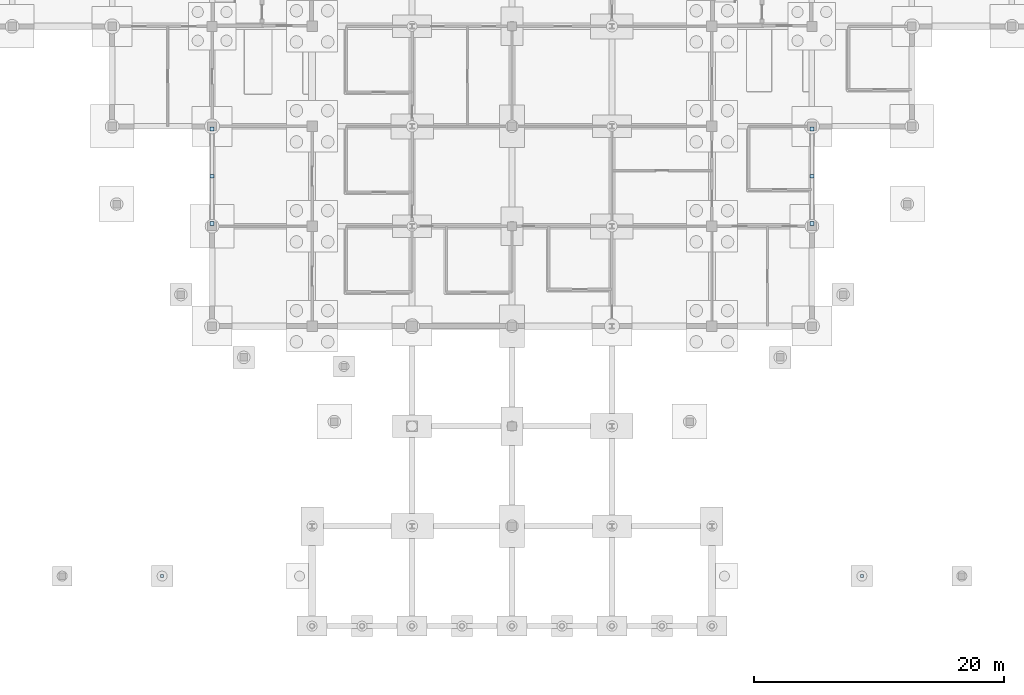
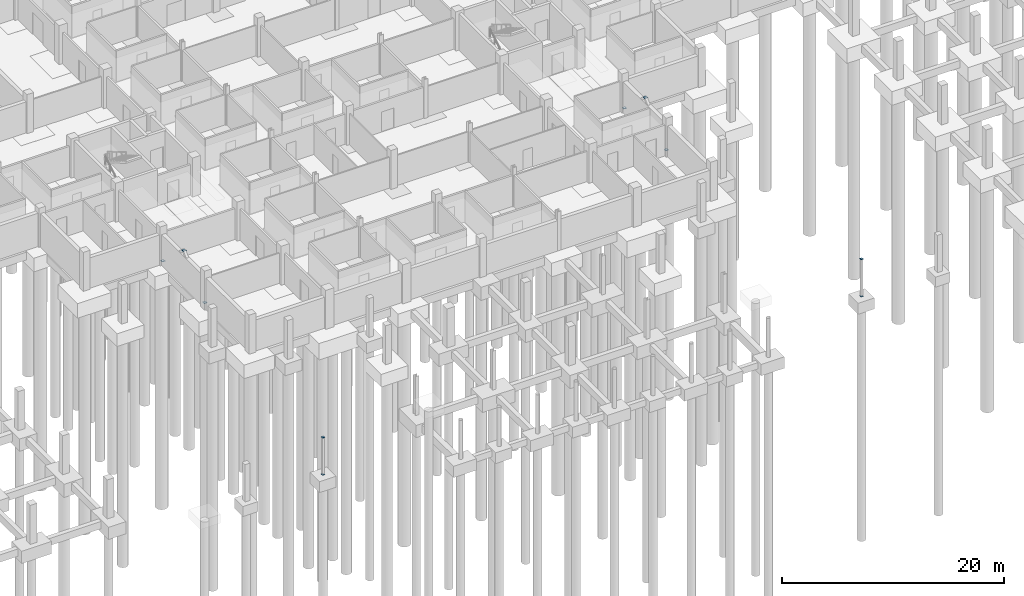
# One storey, part 23 of 48: 10 plates.
"""IFC4 building model written with IfcOpenShell, lengths in metres."""

from ifc_helpers import new_model, si_unit, derived_unit, direction, frame, origin, origin_2d, place, context, subcontext, project, spatial, rectangle, extrude, material, layer, layer_set, type_object, element, save


model = new_model("IFC4")

# Units and contexts
model_context = context("Model", 3, precision=1e-05, world=origin(), true_north=direction((0.0, 1.0)))
body_context = subcontext(model_context, "Body", "Model", "MODEL_VIEW")
ifc_project = project(units=[si_unit("LENGTHUNIT", "METRE"), si_unit("AREAUNIT", "SQUARE_METRE"), si_unit("VOLUMEUNIT", "CUBIC_METRE"), si_unit("PLANEANGLEUNIT", "RADIAN"), si_unit("MASSUNIT", "GRAM", prefix="KILO"), derived_unit("THERMALTRANSMITTANCEUNIT", [(si_unit("MASSUNIT", "GRAM", prefix="KILO"), 1), (si_unit("TIMEUNIT", "SECOND"), -3), (si_unit("THERMODYNAMICTEMPERATUREUNIT", "KELVIN"), -1)])], contexts=[model_context])

# Site, building, storey
site_placement = place(None, origin())
site = spatial("IfcSite", under=ifc_project, at=site_placement, CompositionType="ELEMENT")
building_placement = place(site_placement, origin())
building = spatial("IfcBuilding", under=site, at=building_placement, Name="Veyamyaing Civic Hall", CompositionType="ELEMENT")
storey_placement = place(building_placement, frame((0.0, 0.0, -4.2900390625)))
storey = spatial("IfcBuildingStorey", under=building, at=storey_placement, Name="B1", CompositionType="ELEMENT", Elevation=-4.2900390625)

# Plates
ifc_material = material(Name="Steel S355J2", Category="steel")
ifc_layer_1 = layer(ifc_material, 0.02001953125, Name="Steel S355J2")
ifc_layer_set_1 = layer_set([ifc_layer_1], Name="Steel S355J2")
plate_type_1 = type_object("IfcPlateType", Name="GP-01", PredefinedType="SHEET", material=ifc_layer_set_1)
for number, where, z_axis, x_axis, name in (
    (1, (64.0, 32.219970703125, 0.39013671875), (0.0, 0.0, 1.0), (1.0, 0.0, 0.0), "Brace base gusset plate GP-01 BF-CW B1.L"),
    (2, (64.0, 39.780029296875, 0.39013671875), (0.0, 0.0, 1.0), (1.0, 0.0, 0.0), "Brace base gusset plate GP-01 BF-CW B1.R"),
    (3, (64.0, 36.0, 3.830078125), (0.0, 0.0, 1.0), (1.0, 0.0, 0.0), "Brace apex gusset plate GP-01 BF-CW B1"),
    (4, (112.0, 32.219970703125, 0.39013671875), (0.0, 0.0, 1.0), (1.0, 0.0, 0.0), "Brace base gusset plate GP-01 BF-CE B1.L"),
    (5, (112.0, 39.780029296875, 0.39013671875), (0.0, 0.0, 1.0), (1.0, 0.0, 0.0), "Brace base gusset plate GP-01 BF-CE B1.R"),
    (6, (112.0, 36.0, 3.830078125), (0.0, 0.0, 1.0), (1.0, 0.0, 0.0), "Brace apex gusset plate GP-01 BF-CE B1"),
):
    element("IfcPlate", number, at=place(storey_placement, frame(where, z_axis=z_axis, x_axis=x_axis)), inside=storey, type_object=plate_type_1, Name=name, PredefinedType="SHEET", context=body_context, shape_type="SweptSolid", body=[
        extrude(rectangle(XDim=0.300048828125, YDim=0.300048828125, at=origin_2d()), origin(), (0.0, 0.0, 1.0), 0.02001953125),
    ])
ifc_layer_2 = layer(ifc_material, 0.02392578125, Name="Steel S355J2")
ifc_layer_set_2 = layer_set([ifc_layer_2], Name="Steel S355J2")
plate_type_2 = type_object("IfcPlateType", Name="GP-07", PredefinedType="SHEET", material=ifc_layer_set_2)
for number, where, z_axis, x_axis, name in (
    (7, (60.0, 4.0, 4.0830078125), (0.0, 0.0, 1.0), (1.0, 0.0, 0.0), "Forecourt post cap plate GP-07 FC-SW"),
    (8, (60.0, 4.0, -0.0068359375), (0.0, 0.0, 1.0), (1.0, 0.0, 0.0), "Forecourt post base plate GP-07 FC-SW"),
    (9, (116.0, 4.0, 4.0830078125), (0.0, 0.0, 1.0), (1.0, 0.0, 0.0), "Forecourt post cap plate GP-07 FC-SE"),
    (10, (116.0, 4.0, -0.0068359375), (0.0, 0.0, 1.0), (1.0, 0.0, 0.0), "Forecourt post base plate GP-07 FC-SE"),
):
    element("IfcPlate", number, at=place(storey_placement, frame(where, z_axis=z_axis, x_axis=x_axis)), inside=storey, type_object=plate_type_2, Name=name, PredefinedType="SHEET", context=body_context, shape_type="SweptSolid", body=[
        extrude(rectangle(XDim=0.25, YDim=0.25, at=origin_2d()), origin(), (0.0, 0.0, 1.0), 0.02392578125),
    ])

save(model, "model.ifc")
